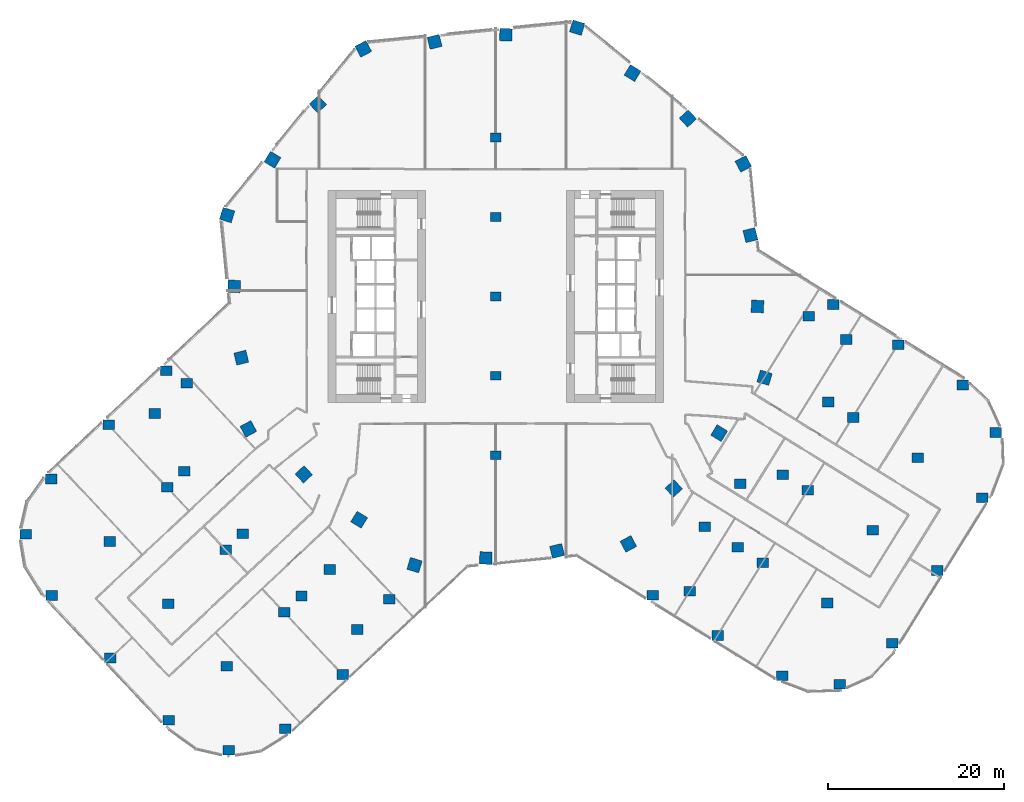
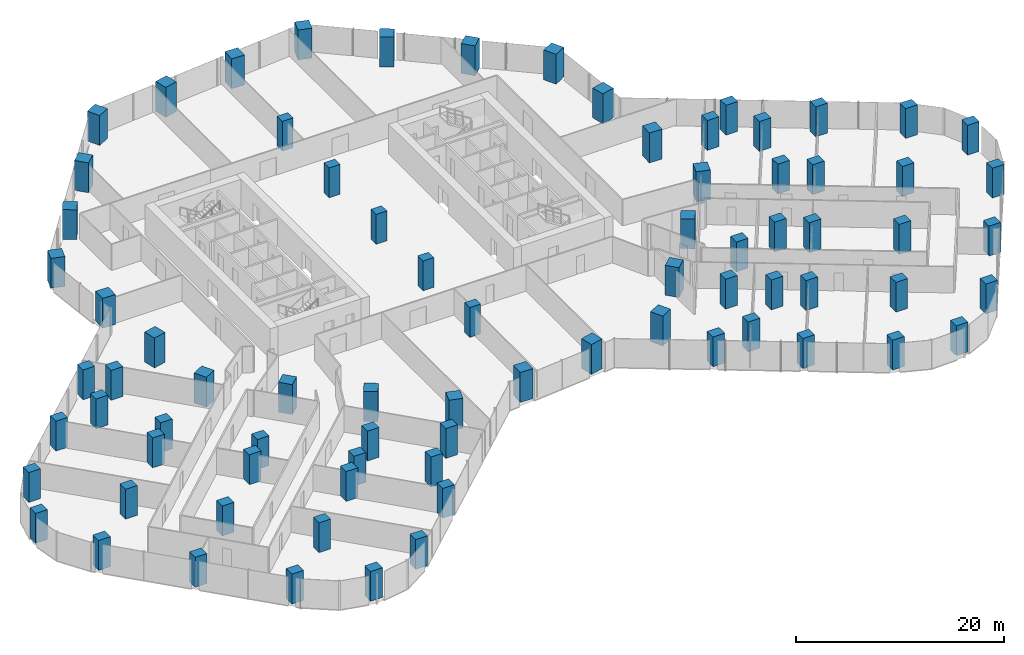
# One storey, part 1 of 34: 78 columns.
"""IFC4 building model written with IfcOpenShell, lengths in metres."""

import ifcopenshell
import ifcopenshell.guid

model = None  # the IFC model being written
_history = None  # IfcOwnerHistory: only IFC2X3 demands one
_inside = {}  # id of a spatial element -> (the spatial element, [elements in it])
_under = {}  # id of a project, library or spatial element -> (it, [spatial elements below it])
_declared = {}  # id of a project -> (the project, [libraries it declares])
_typed = {}  # id of a type object -> (the type object, [elements of that type])
_made_of = {}  # id of a material, layer set ... -> (it, [elements and type objects made of it])


def new_model(schema):
    """Start an empty IFC model of exactly this schema.

    Asked for "IFC4X3", IfcOpenShell would pick the latest addendum, in which some entities
    have other attributes; the version numbers below select the first issue.
    IFC2X3 requires an IfcOwnerHistory on every rooted entity: one is made here for all.
    """
    global model, _history
    if schema == "IFC4X3":
        model = ifcopenshell.file(schema_version=(4, 3, 0, 0))
    else:
        model = ifcopenshell.file(schema=schema)
    _inside.clear()
    _under.clear()
    _declared.clear()
    _typed.clear()
    _made_of.clear()
    _history = None
    if model.schema == "IFC2X3":
        org = make("IfcOrganization", Name="unknown")
        user = make(
            "IfcPersonAndOrganization",
            ThePerson=make("IfcPerson", FamilyName="unknown"),
            TheOrganization=org,
        )
        app = make(
            "IfcApplication",
            ApplicationDeveloper=org,
            Version="unknown",
            ApplicationFullName="unknown",
            ApplicationIdentifier="unknown",
        )
        _history = make(
            "IfcOwnerHistory",
            OwningUser=user,
            OwningApplication=app,
            ChangeAction="ADDED",
            CreationDate=0,
        )
    return model


def make(cls, **values):
    """One entity of the class cls with the attributes given. An attribute that is None is left unset."""
    return model.create_entity(
        cls, **{name: value for name, value in values.items() if value is not None}
    )


def rooted(cls, **values):
    """An entity with a GlobalId (a new one), such as an element, a storey or a relation."""
    return make(cls, GlobalId=ifcopenshell.guid.new(), OwnerHistory=_history, **values)


def si_unit(unit_type, name, prefix=None):
    """IfcSIUnit, for example si_unit("LENGTHUNIT", "METRE", prefix="MILLI")."""
    return make("IfcSIUnit", UnitType=unit_type, Prefix=prefix, Name=name)


def assignment(units):
    """IfcUnitAssignment: the units of a project."""
    return None if units is None else make("IfcUnitAssignment", Units=units)


def point(xyz):
    """IfcCartesianPoint."""
    return None if xyz is None else make("IfcCartesianPoint", Coordinates=xyz)


def direction(xyz):
    """IfcDirection."""
    return None if xyz is None else make("IfcDirection", DirectionRatios=xyz)


def frame(location, z_axis=None, x_axis=None):
    """IfcAxis2Placement3D, a coordinate frame: its origin and axes. An axis left out is left unset."""
    return make(
        "IfcAxis2Placement3D",
        Location=point(location),
        Axis=direction(z_axis),
        RefDirection=direction(x_axis),
    )


def frame_2d(location, x_axis=None):
    """IfcAxis2Placement2D, a coordinate frame in the plane: its origin and x axis."""
    return make(
        "IfcAxis2Placement2D", Location=point(location), RefDirection=direction(x_axis)
    )


def origin():
    """The frame at (0, 0, 0) with its axes left unset."""
    return frame((0.0, 0.0, 0.0))


def origin_2d():
    """The frame at (0, 0) in the plane with its x axis left unset."""
    return frame_2d((0.0, 0.0))


def place(relative_to, where):
    """IfcLocalPlacement: puts the frame where relative to a parent placement (None: the world)."""
    return make(
        "IfcLocalPlacement", PlacementRelTo=relative_to, RelativePlacement=where
    )


def context(
    kind, dimensions, precision=None, world=None, true_north=None, identifier=None
):
    """IfcGeometricRepresentationContext, for example the 3D "Model" context."""
    return make(
        "IfcGeometricRepresentationContext",
        ContextIdentifier=identifier,
        ContextType=kind,
        CoordinateSpaceDimension=dimensions,
        Precision=precision,
        WorldCoordinateSystem=world,
        TrueNorth=true_north,
    )


def subcontext(parent, identifier, kind, view, scale=None):
    """IfcGeometricRepresentationSubContext, for example "Body" below "Model"."""
    return make(
        "IfcGeometricRepresentationSubContext",
        ContextIdentifier=identifier,
        ContextType=kind,
        ParentContext=parent,
        TargetScale=scale,
        TargetView=view,
    )


def project(units=None, contexts=None):
    """IfcProject with its units and contexts."""
    return rooted(
        "IfcProject",
        Name="project",
        RepresentationContexts=contexts,
        UnitsInContext=assignment(units),
    )


def spatial(cls, under=None, at=None, **own):
    """A site, building, storey or space (cls), placed at a placement, below another one or the project."""
    s = rooted(cls, ObjectPlacement=at, **own)
    if under is not None:
        _under.setdefault(under.id(), (under, []))[1].append(s)
    return s


def profile(cls, at=None, kind="AREA", **sizes):
    """A parametric profile (cls). Its sizes go by their IFC names, for example OverallWidth=200.0."""
    return make(cls, ProfileType=kind, Position=at, **sizes)


def rectangle(**sizes):
    """IfcRectangleProfileDef."""
    return profile("IfcRectangleProfileDef", **sizes)


def extrude(swept, where, along, depth):
    """IfcExtrudedAreaSolid: the profile swept, set in the frame where, extruded along a direction by depth."""
    return make(
        "IfcExtrudedAreaSolid",
        SweptArea=swept,
        Position=where,
        ExtrudedDirection=direction(along),
        Depth=depth,
    )


def shape(context_of_items, identifier, shape_type, items):
    """IfcShapeRepresentation: the items that make up one representation, for example the "Body"."""
    return make(
        "IfcShapeRepresentation",
        ContextOfItems=context_of_items,
        RepresentationIdentifier=identifier,
        RepresentationType=shape_type,
        Items=items,
    )


def material(Name=None, Category=None):
    """IfcMaterial."""
    return make("IfcMaterial", Name=Name, Category=Category)


def material_profile(
    of_material, cross_section, Name=None, Category=None, Priority=None
):
    """IfcMaterialProfile: a cross section and its material."""
    return make(
        "IfcMaterialProfile",
        Name=Name,
        Material=of_material,
        Profile=cross_section,
        Priority=Priority,
        Category=Category,
    )


def profile_set(profiles, Name=None, composite=None):
    """IfcMaterialProfileSet."""
    return make(
        "IfcMaterialProfileSet",
        Name=Name,
        MaterialProfiles=profiles,
        CompositeProfile=composite,
    )


def made_of(thing, what):
    """Note that an element or type object is made of a material, layer set ...; save() writes the relation."""
    if what is not None:
        _made_of.setdefault(what.id(), (what, []))[1].append(thing)
    return thing


def type_object(cls, material=None, **own):
    """A type object (cls), such as IfcWallType, which elements share."""
    return made_of(rooted(cls, **own), material)


def element(
    cls,
    number,
    at=None,
    inside=None,
    cuts=None,
    type_object=None,
    material=None,
    context=None,
    identifier="Body",
    shape_type=None,
    held_by="IfcProductDefinitionShape",
    body=None,
    shapes=None,
    **own,
):
    """One element of the class cls, such as IfcWall. Its Tag is "e" and its number.

    at: its placement. inside: the storey or other place that contains it. cuts: it is an
    opening in that element (IfcRelVoidsElement). A single representation is given by context,
    identifier, shape_type and body (its items); several are given by shapes. held_by: the class
    of the entity that holds the representations. save() writes the other relations.
    """
    e = rooted(cls, Tag="e%d" % number, ObjectPlacement=at, **own)
    if body is not None:
        shapes = [shape(context, identifier, shape_type, body)]
    if shapes is not None:
        e.Representation = make(held_by, Representations=shapes)
    if inside is not None:
        _inside.setdefault(inside.id(), (inside, []))[1].append(e)
    if cuts is not None:
        rooted(
            "IfcRelVoidsElement", RelatingBuildingElement=cuts, RelatedOpeningElement=e
        )
    if type_object is not None:
        _typed.setdefault(type_object.id(), (type_object, []))[1].append(e)
    return made_of(e, material)


def aggregate(whole, parts):
    """IfcRelAggregates: a whole, such as a stair, and the parts it consists of."""
    return rooted("IfcRelAggregates", RelatingObject=whole, RelatedObjects=parts)


def save(model, path):
    """Write the relations noted so far, then the file.

    IfcRelAggregates (storeys below a building ...), IfcRelContainedInSpatialStructure (elements
    in a storey), IfcRelDefinesByType, IfcRelAssociatesMaterial and IfcRelDeclares: one each for
    every whole, place, type object, material and project.
    """
    for whole, parts in _under.values():
        aggregate(whole, parts)
    for where, things in _inside.values():
        rooted(
            "IfcRelContainedInSpatialStructure",
            RelatedElements=things,
            RelatingStructure=where,
        )
    for kind, things in _typed.values():
        rooted("IfcRelDefinesByType", RelatedObjects=things, RelatingType=kind)
    for what, things in _made_of.values():
        rooted("IfcRelAssociatesMaterial", RelatedObjects=things, RelatingMaterial=what)
    for by, libraries in _declared.values():
        rooted("IfcRelDeclares", RelatingContext=by, RelatedDefinitions=libraries)
    model.write(path)


model = new_model("IFC4")

# Units and contexts
model_context = context("Model", 3, precision=1e-05, world=origin(), true_north=direction((0.0, 1.0)))
body_context = subcontext(model_context, "Body", "Model", "MODEL_VIEW")
ifc_project = project(units=[si_unit("LENGTHUNIT", "METRE"), si_unit("AREAUNIT", "SQUARE_METRE"), si_unit("VOLUMEUNIT", "CUBIC_METRE"), si_unit("PLANEANGLEUNIT", "RADIAN"), si_unit("MASSUNIT", "GRAM", prefix="KILO")], contexts=[model_context])

# Site, building, storey
site_placement = place(None, origin())
site = spatial("IfcSite", under=ifc_project, at=site_placement, CompositionType="ELEMENT")
building_placement = place(site_placement, origin())
building = spatial("IfcBuilding", under=site, at=building_placement, Name="Orlundy Tower", CompositionType="ELEMENT")
storey_placement = place(building_placement, frame((0.0, 0.0, 47.800048828125)))
storey = spatial("IfcBuildingStorey", under=building, at=storey_placement, Name="L10", CompositionType="ELEMENT", Elevation=47.800048828125)

# Columns
ifc_material_1 = material(Name="Concrete C80/95", Category="concrete")
ifc_material_profile_1 = material_profile(ifc_material_1, rectangle(XDim=1.199951171875, YDim=1.0, at=origin_2d()), Name="RC1200X1000")
ifc_profile_set_1 = profile_set([ifc_material_profile_1], Name="Concrete C80/95")
column_type_1 = type_object("IfcColumnType", Name="RC COLUMN RC1200X1000 C80/95", PredefinedType="COLUMN", material=ifc_profile_set_1)
for number, where, z_axis, x_axis, name in (
    (1, (0.0, -18.0, 0.0), (0.0, 0.0, 1.0), (1.0, 0.0, 0.0), "Column C-M1 L10"),
    (2, (0.0, -9.0, 0.0), (0.0, 0.0, 1.0), (1.0, 0.0, 0.0), "Column C-M2 L10"),
    (3, (0.0, 0.0, 0.0), (0.0, 0.0, 1.0), (1.0, 0.0, 0.0), "Column C-M3 L10"),
    (4, (0.0, 9.0, 0.0), (0.0, 0.0, 1.0), (1.0, 0.0, 0.0), "Column C-M4 L10"),
    (5, (0.0, 18.0, 0.0), (0.0, 0.0, 1.0), (1.0, 0.0, 0.0), "Column C-M5 L10"),
):
    element("IfcColumn", number, at=place(storey_placement, frame(where, z_axis=z_axis, x_axis=x_axis)), inside=storey, type_object=column_type_1, Name=name, PredefinedType="COLUMN", context=body_context, shape_type="SweptSolid", body=[
        extrude(rectangle(XDim=1.199951171875, YDim=1.0, at=origin_2d()), origin(), (0.0, 0.0, 1.0), 3.5),
    ])
ifc_material_2 = material(Name="Concrete C80/95", Category="concrete")
ifc_material_profile_2 = material_profile(ifc_material_2, rectangle(XDim=1.300048828125, YDim=1.10009765625, at=origin_2d()), Name="RC1300X1100")
ifc_profile_set_2 = profile_set([ifc_material_profile_2], Name="Concrete C80/95")
column_type_2 = type_object("IfcColumnType", Name="RC COLUMN RC1300X1100 C80/95", PredefinedType="COLUMN", material=ifc_profile_set_2)
for number, where, z_axis, x_axis, name in (
    (6, (17.803955078125, -33.887939453125, 0.0), (0.0, 0.0, 1.0), (1.0, 0.0, 0.0), "Column C-A1-1 L10"),
    (7, (25.138916015625, -38.44091796875, 0.0), (0.0, 0.0, 1.0), (1.0, 0.0, 0.0), "Column C-A1-2 L10"),
    (8, (32.47509765625, -42.991943359375, 0.0), (0.0, 0.0, 1.0), (1.0, 0.0, 0.0), "Column C-A1-3 L10"),
    (9, (38.968017578125, -43.958984375, 0.0), (0.0, 0.0, 1.0), (1.0, 0.0, 0.0), "Column C-A1-5 L10"),
    (10, (21.97705078125, -33.409912109375, 0.0), (0.0, 0.0, 1.0), (1.0, 0.0, 0.0), "Column C-A1-6 L10"),
    (11, (30.2548828125, -30.199951171875, 0.0), (0.0, 0.0, 1.0), (1.0, 0.0, 0.0), "Column C-A2-2 L10"),
    (12, (37.590087890625, -34.75390625, 0.0), (0.0, 0.0, 1.0), (1.0, 0.0, 0.0), "Column C-A2-3 L10"),
    (13, (44.924072265625, -39.30810546875, 0.0), (0.0, 0.0, 1.0), (1.0, 0.0, 0.0), "Column C-A2-5 L10"),
    (14, (27.423095703125, -28.44189453125, 0.0), (0.0, 0.0, 1.0), (1.0, 0.0, 0.0), "Column C-A2-6 L10"),
    (15, (23.68505859375, -26.1220703125, 0.0), (0.0, 0.0, 1.0), (1.0, 0.0, 0.0), "Column C-A2-7 L10"),
    (16, (35.37109375, -21.9599609375, 0.0), (0.0, 0.0, 1.0), (1.0, 0.0, 0.0), "Column C-A3-2 L10"),
    (17, (42.7060546875, -26.512939453125, 0.0), (0.0, 0.0, 1.0), (1.0, 0.0, 0.0), "Column C-A3-3 L10"),
    (18, (50.041015625, -31.06689453125, 0.0), (0.0, 0.0, 1.0), (1.0, 0.0, 0.0), "Column C-A3-5 L10"),
    (19, (32.5390625, -20.200927734375, 0.0), (0.0, 0.0, 1.0), (1.0, 0.0, 0.0), "Column C-A3-6 L10"),
    (20, (27.68798828125, -21.24609375, 0.0), (0.0, 0.0, 1.0), (1.0, 0.0, 0.0), "Column C-A3-7 L10"),
    (21, (40.487060546875, -13.718994140625, 0.0), (0.0, 0.0, 1.0), (1.0, 0.0, 0.0), "Column C-A4-2 L10"),
    (22, (47.822021484375, -18.27197265625, 0.0), (0.0, 0.0, 1.0), (1.0, 0.0, 0.0), "Column C-A4-3 L10"),
    (23, (55.156982421875, -22.825927734375, 0.0), (0.0, 0.0, 1.0), (1.0, 0.0, 0.0), "Column C-A4-5 L10"),
    (24, (37.655029296875, -11.9599609375, 0.0), (0.0, 0.0, 1.0), (1.0, 0.0, 0.0), "Column C-A4-6 L10"),
    (25, (38.26904296875, -0.924072265625, 0.0), (0.0, 0.0, 1.0), (1.0, 0.0, 0.0), "Column C-A5-1 L10"),
    (26, (45.60400390625, -5.47802734375, 0.0), (0.0, 0.0, 1.0), (1.0, 0.0, 0.0), "Column C-A5-2 L10"),
    (27, (52.93603515625, -10.034912109375, 0.0), (0.0, 0.0, 1.0), (1.0, 0.0, 0.0), "Column C-A5-3 L10"),
    (28, (56.68408203125, -15.425048828125, 0.0), (0.0, 0.0, 1.0), (1.0, 0.0, 0.0), "Column C-A5-5 L10"),
    (29, (39.69189453125, -4.8759765625, 0.0), (0.0, 0.0, 1.0), (1.0, 0.0, 0.0), "Column C-A5-6 L10"),
    (30, (35.444091796875, -2.238037109375, 0.0), (0.0, 0.0, 1.0), (1.0, 0.0, 0.0), "Column C-A5-7 L10"),
    (31, (-37.341064453125, -8.426025390625, 0.0), (0.0, 0.0, 1.0), (1.0, 0.0, 0.0), "Column C-B1-1 L10"),
    (32, (-43.881103515625, -14.56103515625, 0.0), (0.0, 0.0, 1.0), (1.0, 0.0, 0.0), "Column C-B1-2 L10"),
    (33, (-50.4208984375, -20.695068359375, 0.0), (0.0, 0.0, 1.0), (1.0, 0.0, 0.0), "Column C-B1-3 L10"),
    (34, (-53.27587890625, -26.947021484375, 0.0), (0.0, 0.0, 1.0), (1.0, 0.0, 0.0), "Column C-B1-5 L10"),
    (35, (-38.68896484375, -13.264892578125, 0.0), (0.0, 0.0, 1.0), (1.0, 0.0, 0.0), "Column C-B1-6 L10"),
    (36, (-35.0419921875, -9.843994140625, 0.0), (0.0, 0.0, 1.0), (1.0, 0.0, 0.0), "Column C-B1-7 L10"),
    (37, (-37.2451171875, -21.635009765625, 0.0), (0.0, 0.0, 1.0), (1.0, 0.0, 0.0), "Column C-B2-2 L10"),
    (38, (-43.784912109375, -27.77001953125, 0.0), (0.0, 0.0, 1.0), (1.0, 0.0, 0.0), "Column C-B2-3 L10"),
    (39, (-50.324951171875, -33.904052734375, 0.0), (0.0, 0.0, 1.0), (1.0, 0.0, 0.0), "Column C-B2-5 L10"),
    (40, (-35.300048828125, -19.81103515625, 0.0), (0.0, 0.0, 1.0), (1.0, 0.0, 0.0), "Column C-B2-6 L10"),
    (41, (-30.60888671875, -28.7099609375, 0.0), (0.0, 0.0, 1.0), (1.0, 0.0, 0.0), "Column C-B3-2 L10"),
    (42, (-37.14892578125, -34.844970703125, 0.0), (0.0, 0.0, 1.0), (1.0, 0.0, 0.0), "Column C-B3-3 L10"),
    (43, (-43.68896484375, -40.97900390625, 0.0), (0.0, 0.0, 1.0), (1.0, 0.0, 0.0), "Column C-B3-5 L10"),
    (44, (-28.6640625, -26.885986328125, 0.0), (0.0, 0.0, 1.0), (1.0, 0.0, 0.0), "Column C-B3-6 L10"),
    (45, (-23.972900390625, -35.784912109375, 0.0), (0.0, 0.0, 1.0), (1.0, 0.0, 0.0), "Column C-B4-2 L10"),
    (46, (-30.512939453125, -41.919921875, 0.0), (0.0, 0.0, 1.0), (1.0, 0.0, 0.0), "Column C-B4-3 L10"),
    (47, (-37.052978515625, -48.053955078125, 0.0), (0.0, 0.0, 1.0), (1.0, 0.0, 0.0), "Column C-B4-5 L10"),
    (48, (-22.028076171875, -33.9609375, 0.0), (0.0, 0.0, 1.0), (1.0, 0.0, 0.0), "Column C-B4-6 L10"),
    (49, (-18.819091796875, -30.950927734375, 0.0), (0.0, 0.0, 1.0), (1.0, 0.0, 0.0), "Column C-B4-7 L10"),
    (50, (-17.3369140625, -42.860107421875, 0.0), (0.0, 0.0, 1.0), (1.0, 0.0, 0.0), "Column C-B5-2 L10"),
    (51, (-23.876953125, -48.993896484375, 0.0), (0.0, 0.0, 1.0), (1.0, 0.0, 0.0), "Column C-B5-3 L10"),
    (52, (-30.299072265625, -51.444091796875, 0.0), (0.0, 0.0, 1.0), (1.0, 0.0, 0.0), "Column C-B5-5 L10"),
    (53, (-15.7119140625, -37.761962890625, 0.0), (0.0, 0.0, 1.0), (1.0, 0.0, 0.0), "Column C-B5-6 L10"),
    (54, (-12.06494140625, -34.341064453125, 0.0), (0.0, 0.0, 1.0), (1.0, 0.0, 0.0), "Column C-B5-7 L10"),
):
    element("IfcColumn", number, at=place(storey_placement, frame(where, z_axis=z_axis, x_axis=x_axis)), inside=storey, type_object=column_type_2, Name=name, PredefinedType="COLUMN", context=body_context, shape_type="SweptSolid", body=[
        extrude(rectangle(XDim=1.300048828125, YDim=1.10009765625, at=origin_2d()), origin(), (0.0, 0.0, 1.0), 3.5),
    ])
ifc_material_3 = material(Name="Concrete C80/95", Category="concrete")
ifc_material_profile_3 = material_profile(ifc_material_3, rectangle(XDim=1.39990234375, YDim=1.39990234375, at=origin_2d()), Name="RC1400X1400")
ifc_profile_set_3 = profile_set([ifc_material_profile_3], Name="Concrete C80/95")
column_type_3 = type_object("IfcColumnType", Name="RC COLUMN RC1400X1400 C80/95", PredefinedType="COLUMN", material=ifc_profile_set_3)
for number, where, z_axis, x_axis, name in (
    (55, (28.053955078125, 15.02099609375, 0.0), (0.0, 0.0, 1.0), (0.881583714147, 0.472027705702, 0.0), "Column C-H01 L10"),
    (56, (28.85595703125, 6.94189453125, 0.0), (0.0, 0.0, 1.0), (0.972259803901, 0.233903556449, 0.0), "Column C-H02 L10"),
    (57, (29.656982421875, -1.135986328125, 0.0), (0.0, 0.0, 1.0), (0.999266930894, -0.038283166309, 0.0), "Column C-H03 L10"),
    (58, (30.458984375, -9.215087890625, 0.0), (0.0, 0.0, 1.0), (0.957152868392, -0.289583125422, 0.0), "Column C-H04 L10"),
    (59, (25.31298828125, -15.4951171875, 0.0), (0.0, 0.0, 1.0), (0.852895403498, -0.522081823751, 0.0), "Column C-H05 L10"),
    (60, (20.1669921875, -21.77392578125, 0.0), (0.0, 0.0, 1.0), (0.679518136548, -0.733658709553, 0.0), "Column C-H06 L10"),
    (61, (15.02099609375, -28.053955078125, 0.0), (0.0, 0.0, 1.0), (0.472027705702, -0.881583714147, 0.0), "Column C-H07 L10"),
    (62, (6.94189453125, -28.85595703125, 0.0), (0.0, 0.0, 1.0), (0.233903556449, -0.972259803901, 0.0), "Column C-H08 L10"),
    (63, (-1.135986328125, -29.656982421875, 0.0), (0.0, 0.0, 1.0), (-0.038283166309, -0.999266930894, 0.0), "Column C-H09 L10"),
    (64, (-9.215087890625, -30.458984375, 0.0), (0.0, 0.0, 1.0), (-0.289583125422, -0.957152868392, 0.0), "Column C-H10 L10"),
    (65, (-15.4951171875, -25.31298828125, 0.0), (0.0, 0.0, 1.0), (-0.522081823751, -0.852895403498, 0.0), "Column C-H11 L10"),
    (66, (-21.77392578125, -20.1669921875, 0.0), (0.0, 0.0, 1.0), (-0.733658709553, -0.679518136548, 0.0), "Column C-H12 L10"),
    (67, (-28.053955078125, -15.02099609375, 0.0), (0.0, 0.0, 1.0), (-0.881583714147, -0.472027705702, 0.0), "Column C-H13 L10"),
    (68, (-28.85595703125, -6.94189453125, 0.0), (0.0, 0.0, 1.0), (-0.972259803901, -0.233903556449, 0.0), "Column C-H14 L10"),
    (69, (-29.656982421875, 1.135986328125, 0.0), (0.0, 0.0, 1.0), (-0.999266930894, 0.038283166309, 0.0), "Column C-H15 L10"),
    (70, (-30.458984375, 9.215087890625, 0.0), (0.0, 0.0, 1.0), (-0.957152868392, 0.289583125422, 0.0), "Column C-H16 L10"),
    (71, (-25.31298828125, 15.4951171875, 0.0), (0.0, 0.0, 1.0), (-0.852895403498, 0.522081823751, 0.0), "Column C-H17 L10"),
    (72, (-20.1669921875, 21.77392578125, 0.0), (0.0, 0.0, 1.0), (-0.679518136548, 0.733658709553, 0.0), "Column C-H18 L10"),
    (73, (-15.02099609375, 28.053955078125, 0.0), (0.0, 0.0, 1.0), (-0.472027705702, 0.881583714147, 0.0), "Column C-H19 L10"),
    (74, (-6.94189453125, 28.85595703125, 0.0), (0.0, 0.0, 1.0), (-0.233903556449, 0.972259803901, 0.0), "Column C-H20 L10"),
    (75, (1.135986328125, 29.656982421875, 0.0), (0.0, 0.0, 1.0), (0.038283166309, 0.999266930894, 0.0), "Column C-H21 L10"),
    (76, (9.215087890625, 30.458984375, 0.0), (0.0, 0.0, 1.0), (0.289583125422, 0.957152868392, 0.0), "Column C-H22 L10"),
    (77, (15.4951171875, 25.31298828125, 0.0), (0.0, 0.0, 1.0), (0.522081823751, 0.852895403498, 0.0), "Column C-H23 L10"),
    (78, (21.77392578125, 20.1669921875, 0.0), (0.0, 0.0, 1.0), (0.733658709553, 0.679518136548, 0.0), "Column C-H24 L10"),
):
    element("IfcColumn", number, at=place(storey_placement, frame(where, z_axis=z_axis, x_axis=x_axis)), inside=storey, type_object=column_type_3, Name=name, PredefinedType="COLUMN", context=body_context, shape_type="SweptSolid", body=[
        extrude(rectangle(XDim=1.39990234375, YDim=1.39990234375, at=origin_2d()), origin(), (0.0, 0.0, 1.0), 3.5),
    ])

save(model, "model.ifc")
